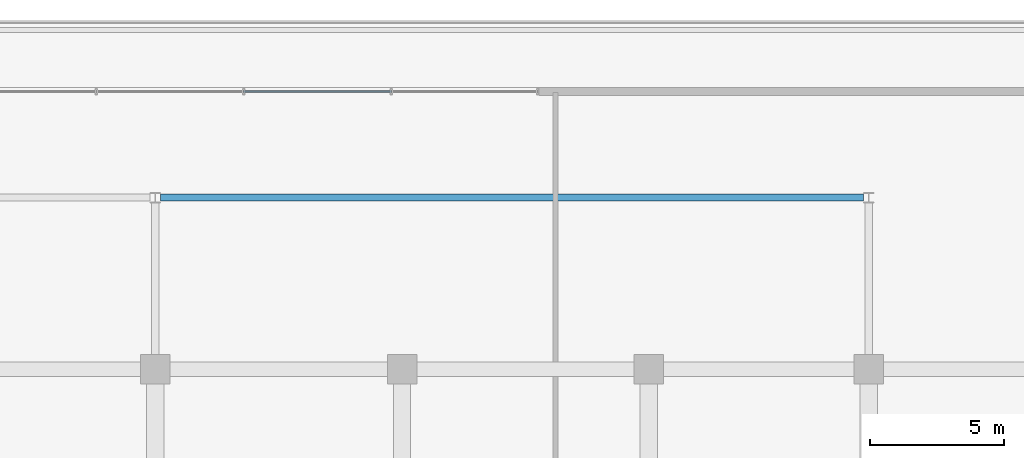
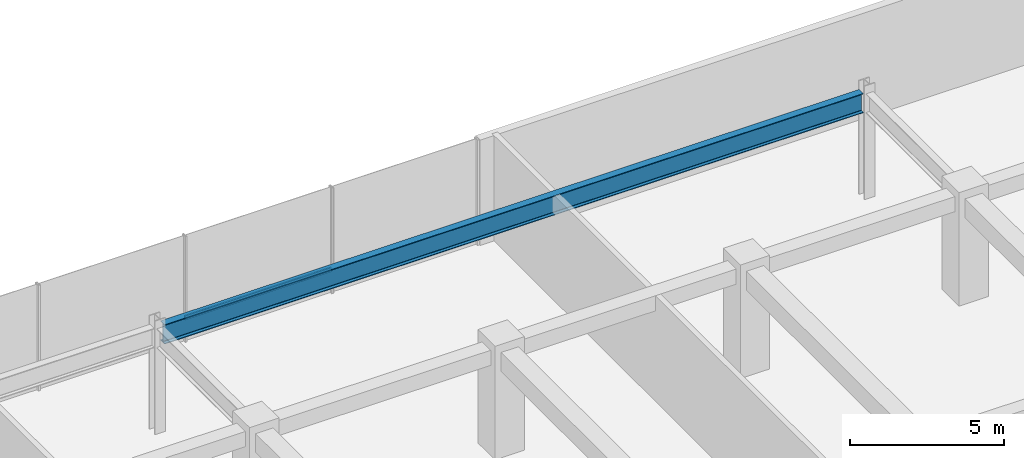
# One storey, part 14 of 40: 1 beam, 1 member, 1 element without a shape of its own.
"""IFC4 building model written with IfcOpenShell, lengths in metres."""

from ifc_helpers import new_model, si_unit, direction, frame, origin, origin_2d, place, context, subcontext, project, spatial, hollow_rectangle, i_section, extrude, material, layer, layer_set, material_profile, profile_set, type_object, element, aggregate, save


model = new_model("IFC4")

# Units and contexts
model_context = context("Model", 3, precision=1e-05, world=origin(), true_north=direction((0.0, 1.0)))
body_context = subcontext(model_context, "Body", "Model", "MODEL_VIEW")
ifc_project = project(units=[si_unit("LENGTHUNIT", "METRE"), si_unit("AREAUNIT", "SQUARE_METRE"), si_unit("VOLUMEUNIT", "CUBIC_METRE"), si_unit("PLANEANGLEUNIT", "RADIAN"), si_unit("MASSUNIT", "GRAM", prefix="KILO")], contexts=[model_context])

# Site, building, storey
site_placement = place(None, origin())
site = spatial("IfcSite", under=ifc_project, at=site_placement, CompositionType="ELEMENT")
building_placement = place(site_placement, origin())
building = spatial("IfcBuilding", under=site, at=building_placement, Name="Korimba Cascade Residences", CompositionType="ELEMENT")
storey_placement = place(building_placement, frame((0.0, 0.0, 14.5)))
storey = spatial("IfcBuildingStorey", under=building, at=storey_placement, Name="L03", CompositionType="ELEMENT", Elevation=14.5)

# Beam
ifc_material_1 = material(Name="Steel S355", Category="steel")
ifc_material_profile_1 = material_profile(ifc_material_1, i_section(OverallWidth=0.26806640625, OverallDepth=0.769775390625, WebThickness=0.015625, FlangeThickness=0.025390625, FilletRadius=0.0166015625, at=origin_2d()), Name="Steel S355")
ifc_profile_set_1 = profile_set([ifc_material_profile_1], Name="Steel S355")
beam_type = type_object("IfcBeamType", Name="BM-STL-UB762", PredefinedType="BEAM", material=ifc_profile_set_1)
beam_placement = place(storey_placement, frame((93.8994140625, 97.60009765625, 3.795166015625), z_axis=(1.0, 0.0, 0.0), x_axis=(0.0, 1.0, 0.0)))
element("IfcBeam", 1, at=beam_placement, inside=storey, type_object=beam_type, Name="L03 Podium Frame Girder NH2", PredefinedType="BEAM", context=body_context, shape_type="SweptSolid", body=[
    extrude(i_section(OverallWidth=0.26806640625, OverallDepth=0.769775390625, WebThickness=0.015625, FlangeThickness=0.025390625, FilletRadius=0.0166015625, at=origin_2d()), origin(), (0.0, 0.0, 1.0), 26.201171875),
])

# Curtain wall, member
ifc_material_2 = material(Name="Anodised Aluminium Curtain Wall Framing", Category="aluminium")
ifc_layer = layer(ifc_material_2, 0.179931640625)
ifc_layer_set = layer_set([ifc_layer], Name="Anodised Aluminium Curtain Wall Framing")
curtain_wall_type = type_object("IfcCurtainWallType", Name="CW-POD-SYS1", PredefinedType="NOTDEFINED", material=ifc_layer_set)
curtain_wall_placement = place(storey_placement, origin())
curtain_wall = element("IfcCurtainWall", 2, at=curtain_wall_placement, inside=storey, type_object=curtain_wall_type, Name="L03 Curtain Wall CW-L03-POD-N", PredefinedType="NOTDEFINED")
ifc_material_3 = material(Name="Anodised Aluminium Transom", Category="aluminium")
ifc_material_profile_2 = material_profile(ifc_material_3, hollow_rectangle(XDim=0.070068359375, YDim=0.179931640625, WallThickness=0.0048828125, InnerFilletRadius=0.0048828125, OuterFilletRadius=0.010009765625, at=origin_2d()), Name="Anodised Aluminium Transom")
ifc_profile_set_2 = profile_set([ifc_material_profile_2], Name="Anodised Aluminium Transom")
member_type = type_object("IfcMemberType", Name="CWM-TRN-150", PredefinedType="USERDEFINED", material=ifc_profile_set_2)
member_placement = place(storey_placement, frame((102.5, 101.550048828125, 0.89990234375), z_axis=(-1.0, 0.0, 0.0), x_axis=(0.0, -1.0, 0.0)))
member = element("IfcMember", 3, at=member_placement, type_object=member_type, Name="CW-L03-POD-N Transom 2", ObjectType="TRANSOM", PredefinedType="USERDEFINED", context=body_context, shape_type="SweptSolid", body=[
    extrude(hollow_rectangle(XDim=0.070068359375, YDim=0.179931640625, WallThickness=0.0048828125, InnerFilletRadius=0.0048828125, OuterFilletRadius=0.010009765625, at=origin_2d()), origin(), (0.0, 0.0, 1.0), 5.5),
])
aggregate(curtain_wall, [member])

save(model, "model.ifc")
